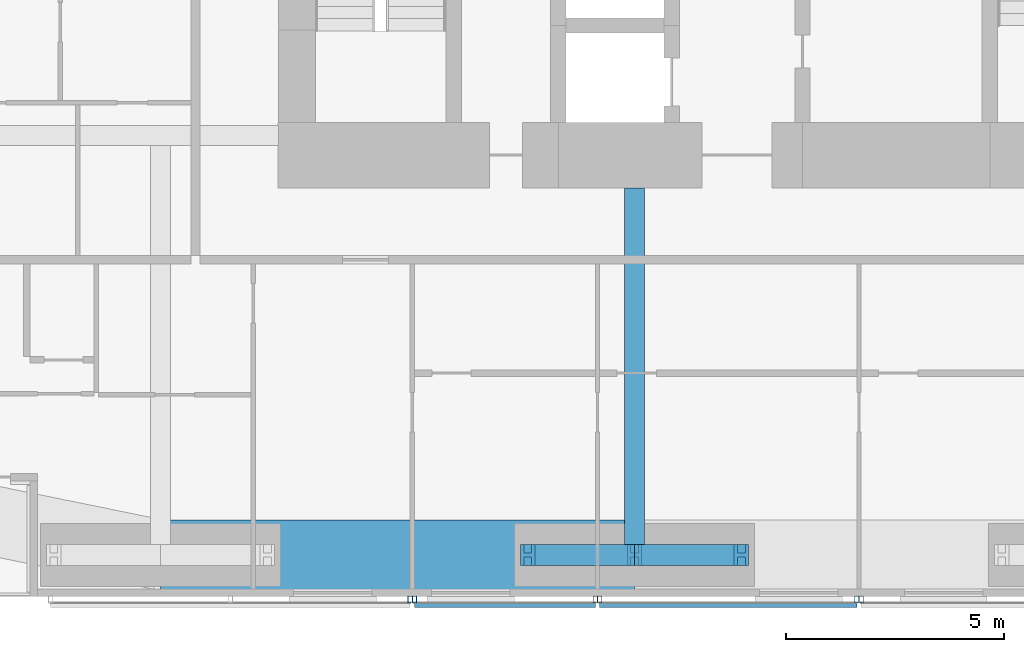
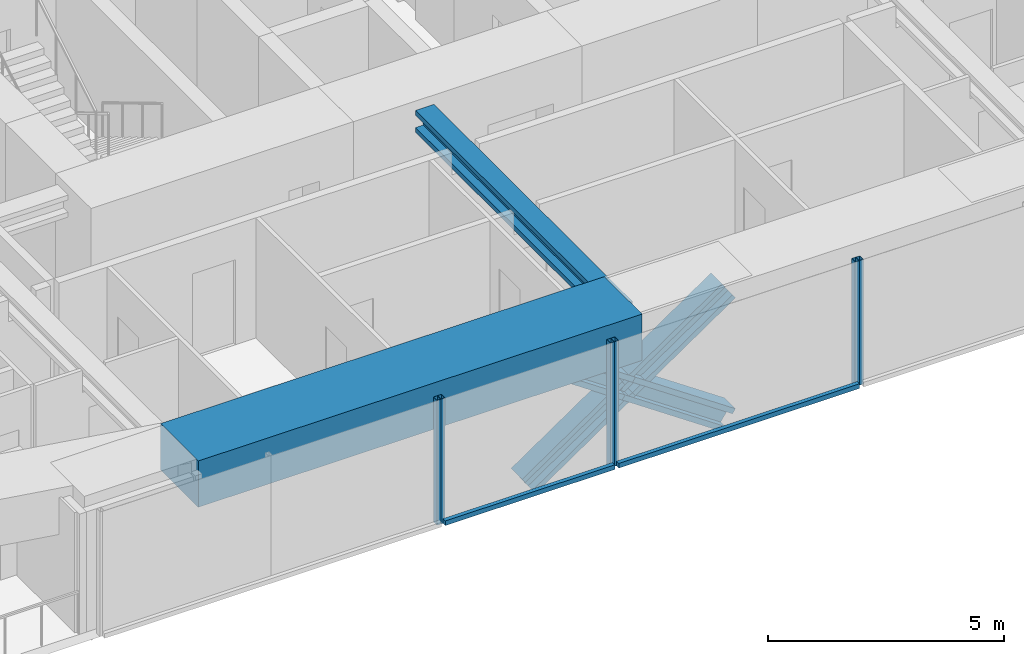
# One storey, part 4 of 23: 12 members, 2 beams, 4 elements without a shape of their own.
"""IFC4 building model written with IfcOpenShell, lengths in metres."""

from ifc_helpers import new_model, si_unit, direction, frame, origin, origin_2d, place, context, subcontext, project, spatial, rectangle, hollow_rectangle, i_section, extrude, material, material_profile, profile_set, type_object, element, aggregate, save


model = new_model("IFC4")

# Units and contexts
model_context = context("Model", 3, precision=1e-05, world=origin(), true_north=direction((0.0, 1.0)))
body_context = subcontext(model_context, "Body", "Model", "MODEL_VIEW")
ifc_project = project(units=[si_unit("LENGTHUNIT", "METRE"), si_unit("AREAUNIT", "SQUARE_METRE"), si_unit("VOLUMEUNIT", "CUBIC_METRE"), si_unit("PLANEANGLEUNIT", "RADIAN"), si_unit("MASSUNIT", "GRAM", prefix="KILO")], contexts=[model_context])

# Site, building, storey
site_placement = place(None, origin())
site = spatial("IfcSite", under=ifc_project, at=site_placement, CompositionType="ELEMENT")
building_placement = place(site_placement, origin())
building = spatial("IfcBuilding", under=site, at=building_placement, Name="Jalousie Tower", CompositionType="ELEMENT")
storey_placement = place(building_placement, frame((0.0, 0.0, 114.89990234375)))
storey = spatial("IfcBuildingStorey", under=building, at=storey_placement, Name="L31", CompositionType="ELEMENT", Elevation=114.89990234375)

# Beam
ifc_material_1 = material(Name="Steel ASTM A992 Grade 50", Category="steel")
ifc_material_profile_1 = material_profile(ifc_material_1, i_section(OverallWidth=0.45458984375, OverallDepth=0.569091796875, WebThickness=0.077880859375, FlangeThickness=0.124755859375, at=origin_2d()), Name="W14X730")
ifc_profile_set_1 = profile_set([ifc_material_profile_1], Name="Steel ASTM A992 Grade 50")
beam_type_1 = type_object("IfcBeamType", Name="LEAN COLLECTOR W14X730", PredefinedType="BEAM", material=ifc_profile_set_1)
beam_1_placement = place(storey_placement, frame((27.75, 0.949951171875, 2.82568359375), z_axis=(0.0, 1.0, 0.0), x_axis=(-1.0, 0.0, 0.0)))
element("IfcBeam", 1, at=beam_1_placement, inside=storey, type_object=beam_type_1, Name="Lean collector under L32", PredefinedType="BEAM", context=body_context, shape_type="SweptSolid", body=[
    extrude(i_section(OverallWidth=0.45458984375, OverallDepth=0.569091796875, WebThickness=0.077880859375, FlangeThickness=0.124755859375, at=origin_2d()), origin(), (0.0, 0.0, 1.0), 8.425048828125),
])

# Members
ifc_material_2 = material(Name="Steel ASTM A992 Grade 50", Category="steel")
ifc_material_profile_2 = material_profile(ifc_material_2, i_section(OverallWidth=0.472412109375, OverallDepth=0.5791015625, WebThickness=0.094970703125, FlangeThickness=0.1298828125, at=origin_2d()), Name="W14X808")
ifc_profile_set_2 = profile_set([ifc_material_profile_2], Name="Steel ASTM A992 Grade 50")
member_type_1 = type_object("IfcMemberType", Name="PERIMETER BRACE W14X808", PredefinedType="BRACE", material=ifc_profile_set_2)
for number, where, z_axis, x_axis, name in (
    (2, (25.300048828125, 0.949951171875, -0.599853515625), (0.825500916831, 0.0, 0.564400776321), (0.0, 1.0, 0.0), "Perimeter brace 03 L31 part 1"),
    (3, (27.75, 0.949951171875, 1.0751953125), (0.825539243753, 0.0, 0.564344714713), (0.0, 1.0, 0.0), "Perimeter brace 03 L31 part 2"),
    (4, (30.199951171875, 0.949951171875, -0.599853515625), (-0.825500916831, 0.0, 0.564400776321), (0.0, -1.0, 0.0), "Perimeter brace 03 L31 part 3"),
    (5, (27.75, 0.949951171875, 1.0751953125), (-0.825539243753, 0.0, 0.564344714713), (0.0, -1.0, 0.0), "Perimeter brace 03 L31 part 4"),
):
    element("IfcMember", number, at=place(storey_placement, frame(where, z_axis=z_axis, x_axis=x_axis)), inside=storey, type_object=member_type_1, Name=name, PredefinedType="BRACE", context=body_context, shape_type="SweptSolid", body=[
        extrude(i_section(OverallWidth=0.472412109375, OverallDepth=0.5791015625, WebThickness=0.094970703125, FlangeThickness=0.1298828125, at=origin_2d()), origin(), (0.0, 0.0, 1.0), 2.9677734375),
    ])

# Beam
ifc_material_3 = material(Name="Concrete f'c 40 MPa", Category="concrete")
ifc_material_profile_3 = material_profile(ifc_material_3, rectangle(XDim=1.60009765625, YDim=1.199951171875, at=origin_2d()), Name="RC 1600x1200")
ifc_profile_set_3 = profile_set([ifc_material_profile_3], Name="Concrete f'c 40 MPa")
beam_type_2 = type_object("IfcBeamType", Name="RC BEAM 1600x1200", PredefinedType="BEAM", material=ifc_profile_set_3)
beam_2_placement = place(storey_placement, frame((16.875, 0.949951171875, 2.75), z_axis=(1.0, 0.0, 0.0), x_axis=(0.0, 1.0, 0.0)))
element("IfcBeam", 6, at=beam_2_placement, inside=storey, type_object=beam_type_2, Name="Edge band beam 02-03 under L32", PredefinedType="BEAM", context=body_context, shape_type="SweptSolid", body=[
    extrude(rectangle(XDim=1.60009765625, YDim=1.199951171875, at=origin_2d()), origin(), (0.0, 0.0, 1.0), 10.875),
])

# Curtain wall, member
ifc_material_4 = material(Name="Perforated aluminium sheet", Category="aluminium")
curtain_wall_type = type_object("IfcCurtainWallType", Name="SOLAR SCREEN SS-1", PredefinedType="USERDEFINED", material=ifc_material_4)
curtain_wall_1_placement = place(storey_placement, origin())
curtain_wall_1 = element("IfcCurtainWall", 7, at=curtain_wall_1_placement, inside=storey, type_object=curtain_wall_type, Name="Solar screen L31", ObjectType="SOLAR SCREEN SS-1", PredefinedType="USERDEFINED")
ifc_material_5 = material(Name="Steel ASTM A500 Grade C", Category="steel")
ifc_material_profile_4 = material_profile(ifc_material_5, hollow_rectangle(XDim=0.1015625, YDim=0.15234375, WallThickness=0.00634765625, at=origin_2d()), Name="HSS6X4X1/4")
ifc_profile_set_4 = profile_set([ifc_material_profile_4], Name="Steel ASTM A500 Grade C")
member_type_2 = type_object("IfcMemberType", Name="SOLAR SCREEN SS-1 MULLION", PredefinedType="MULLION", material=ifc_profile_set_4)
member_1_placement = place(storey_placement, frame((22.60009765625, -0.0712890625, -0.119873046875), z_axis=(0.0, 0.0, 1.0), x_axis=(1.0, 0.0, 0.0)))
member_1 = element("IfcMember", 8, at=member_1_placement, type_object=member_type_2, Name="SS1 post 3", PredefinedType="MULLION", context=body_context, shape_type="SweptSolid", body=[
    extrude(hollow_rectangle(XDim=0.1015625, YDim=0.15234375, WallThickness=0.00634765625, at=origin_2d()), origin(), (0.0, 0.0, 1.0), 3.22998046875),
])
aggregate(curtain_wall_1, [member_1])

# Curtain wall, members
curtain_wall_2_placement = place(storey_placement, origin())
curtain_wall_2 = element("IfcCurtainWall", 9, at=curtain_wall_2_placement, inside=storey, type_object=curtain_wall_type, Name="Solar screen L31", ObjectType="SOLAR SCREEN SS-1", PredefinedType="USERDEFINED")
member_2_placement = place(storey_placement, frame((22.699951171875, -0.0712890625, -0.119873046875), z_axis=(0.0, 0.0, 1.0), x_axis=(1.0, 0.0, 0.0)))
member_2 = element("IfcMember", 10, at=member_2_placement, type_object=member_type_2, Name="SS1 post 1", PredefinedType="MULLION", context=body_context, shape_type="SweptSolid", body=[
    extrude(hollow_rectangle(XDim=0.1015625, YDim=0.15234375, WallThickness=0.00634765625, at=origin_2d()), origin(), (0.0, 0.0, 1.0), 3.22998046875),
])
member_3_placement = place(storey_placement, frame((26.85009765625, -0.0712890625, -0.119873046875), z_axis=(0.0, 0.0, 1.0), x_axis=(1.0, 0.0, 0.0)))
member_3 = element("IfcMember", 11, at=member_3_placement, type_object=member_type_2, Name="SS1 post 2", PredefinedType="MULLION", context=body_context, shape_type="SweptSolid", body=[
    extrude(hollow_rectangle(XDim=0.1015625, YDim=0.15234375, WallThickness=0.00634765625, at=origin_2d()), origin(), (0.0, 0.0, 1.0), 3.22998046875),
])

curtain_wall_3_placement = place(storey_placement, origin())
curtain_wall_3 = element("IfcCurtainWall", 12, at=curtain_wall_3_placement, inside=storey, type_object=curtain_wall_type, Name="Solar screen L31", ObjectType="SOLAR SCREEN SS-1", PredefinedType="USERDEFINED")
member_4_placement = place(storey_placement, frame((26.949951171875, -0.0712890625, -0.119873046875), z_axis=(0.0, 0.0, 1.0), x_axis=(1.0, 0.0, 0.0)))
member_4 = element("IfcMember", 13, at=member_4_placement, type_object=member_type_2, Name="SS1 post 1", PredefinedType="MULLION", context=body_context, shape_type="SweptSolid", body=[
    extrude(hollow_rectangle(XDim=0.1015625, YDim=0.15234375, WallThickness=0.00634765625, at=origin_2d()), origin(), (0.0, 0.0, 1.0), 3.22998046875),
])
member_5_placement = place(storey_placement, frame((32.85009765625, -0.0712890625, -0.119873046875), z_axis=(0.0, 0.0, 1.0), x_axis=(1.0, 0.0, 0.0)))
member_5 = element("IfcMember", 14, at=member_5_placement, type_object=member_type_2, Name="SS1 post 2", PredefinedType="MULLION", context=body_context, shape_type="SweptSolid", body=[
    extrude(hollow_rectangle(XDim=0.1015625, YDim=0.15234375, WallThickness=0.00634765625, at=origin_2d()), origin(), (0.0, 0.0, 1.0), 3.22998046875),
])

# Curtain wall, member
curtain_wall_4_placement = place(storey_placement, origin())
curtain_wall_4 = element("IfcCurtainWall", 15, at=curtain_wall_4_placement, inside=storey, type_object=curtain_wall_type, Name="Solar screen L31", ObjectType="SOLAR SCREEN SS-1", PredefinedType="USERDEFINED")
member_6_placement = place(storey_placement, frame((32.949951171875, -0.0712890625, -0.119873046875), z_axis=(0.0, 0.0, 1.0), x_axis=(1.0, 0.0, 0.0)))
member_6 = element("IfcMember", 16, at=member_6_placement, type_object=member_type_2, Name="SS1 post 1", PredefinedType="MULLION", context=body_context, shape_type="SweptSolid", body=[
    extrude(hollow_rectangle(XDim=0.1015625, YDim=0.15234375, WallThickness=0.00634765625, at=origin_2d()), origin(), (0.0, 0.0, 1.0), 3.22998046875),
])
aggregate(curtain_wall_4, [member_6])

# Member
ifc_material_6 = material(Name="Extruded aluminium screen rail", Category="aluminium")
ifc_material_profile_5 = material_profile(ifc_material_6, rectangle(XDim=0.1015625, YDim=0.1201171875, at=origin_2d()), Name="RAIL 102x120")
ifc_profile_set_5 = profile_set([ifc_material_profile_5], Name="Extruded aluminium screen rail")
member_type_3 = type_object("IfcMemberType", Name="SOLAR SCREEN SS-1 TRANSOM", PredefinedType="USERDEFINED", material=ifc_profile_set_5)
member_7_placement = place(storey_placement, frame((22.699951171875, -0.1982421875, -0.059814453125), z_axis=(1.0, 0.0, 0.0), x_axis=(0.0, 1.0, 0.0)))
member_7 = element("IfcMember", 17, at=member_7_placement, type_object=member_type_3, Name="SS1 rail", ObjectType="TRANSOM", PredefinedType="USERDEFINED", context=body_context, shape_type="SweptSolid", body=[
    extrude(rectangle(XDim=0.1015625, YDim=0.1201171875, at=origin_2d()), origin(), (0.0, 0.0, 1.0), 4.150146484375),
])

aggregate(curtain_wall_2, [member_2, member_3, member_7])

member_8_placement = place(storey_placement, frame((26.949951171875, -0.1982421875, -0.059814453125), z_axis=(1.0, 0.0, 0.0), x_axis=(0.0, 1.0, 0.0)))
member_8 = element("IfcMember", 18, at=member_8_placement, type_object=member_type_3, Name="SS1 rail", ObjectType="TRANSOM", PredefinedType="USERDEFINED", context=body_context, shape_type="SweptSolid", body=[
    extrude(rectangle(XDim=0.1015625, YDim=0.1201171875, at=origin_2d()), origin(), (0.0, 0.0, 1.0), 5.900146484375),
])

aggregate(curtain_wall_3, [member_4, member_5, member_8])

save(model, "model.ifc")
